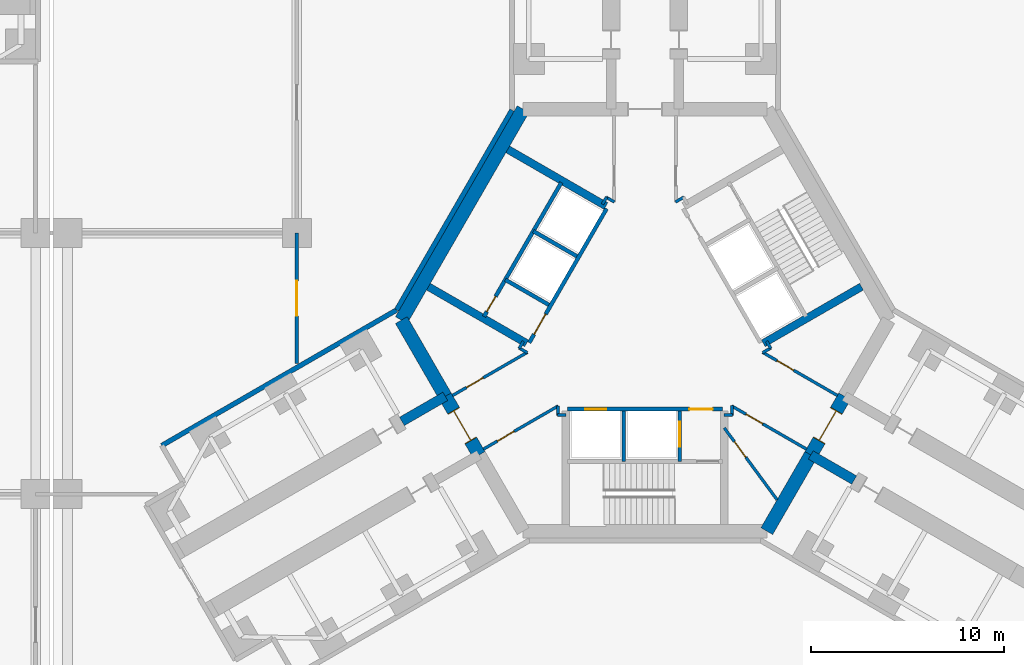
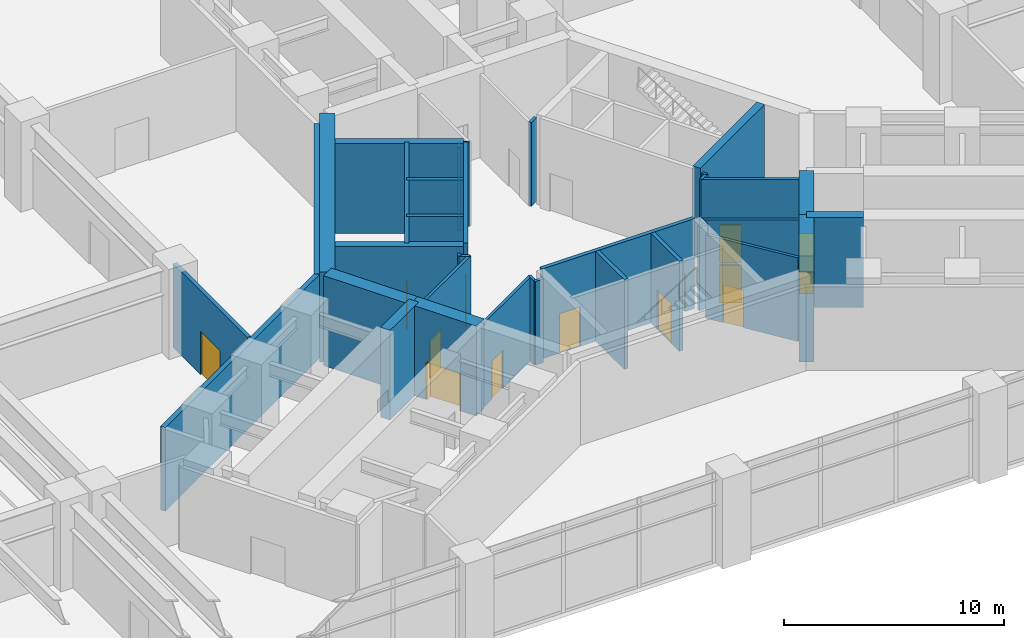
# One storey, part 25 of 32: 36 walls, 13 doors, 13 openings.
"""IFC4 building model written with IfcOpenShell, lengths in metres."""

from ifc_helpers import new_model, si_unit, direction, frame, frame_2d, origin, place, context, subcontext, project, spatial, rectangle, extrude, material, layer, layer_set, type_object, element, fill, save


model = new_model("IFC4")

# Units and contexts
model_context = context("Model", 3, precision=1e-05, world=origin(), true_north=direction((0.0, 1.0)))
body_context = subcontext(model_context, "Body", "Model", "MODEL_VIEW")
ifc_project = project(units=[si_unit("LENGTHUNIT", "METRE"), si_unit("AREAUNIT", "SQUARE_METRE"), si_unit("VOLUMEUNIT", "CUBIC_METRE"), si_unit("PLANEANGLEUNIT", "RADIAN"), si_unit("MASSUNIT", "GRAM", prefix="KILO")], contexts=[model_context])

# Site, building, storey
site_placement = place(None, origin())
site = spatial("IfcSite", under=ifc_project, at=site_placement, CompositionType="ELEMENT")
building_placement = place(site_placement, origin())
building = spatial("IfcBuilding", under=site, at=building_placement, Name="Upepo Twin Towers", CompositionType="ELEMENT")
storey_placement = place(building_placement, frame((0.0, 0.0, 5.5)))
storey = spatial("IfcBuildingStorey", under=building, at=storey_placement, Name="L01", CompositionType="ELEMENT", Elevation=5.5)

# Walls
ifc_material_1 = material(Name="Concrete C60/75", Category="concrete")
ifc_layer_1 = layer(ifc_material_1, 0.5)
ifc_layer_set_1 = layer_set([ifc_layer_1], Name="Concrete C60/75")
wall_type_1 = type_object("IfcWallType", Name="Buttress wall 500 RC", PredefinedType="SHEAR", material=ifc_layer_set_1)
for number, where, z_axis, x_axis, name in (
    (1, (48.17822265625, -21.938720703125, 0.0), (0.0, 0.0, 1.0), (-0.866072649678, -0.499918158782, 0.0), "T2 wing B buttress wall R"),
    (2, (67.07177734375, -24.9697265625, 0.0), (0.0, 0.0, 1.0), (0.866031863473, -0.499988811324, 0.0), "T2 wing C buttress wall R"),
):
    element("IfcWall", number, at=place(storey_placement, frame(where, z_axis=z_axis, x_axis=x_axis)), inside=storey, type_object=wall_type_1, Name=name, PredefinedType="SHEAR", context=body_context, shape_type="SweptSolid", body=[
        extrude(rectangle(XDim=2.591796875, YDim=0.5, at=frame_2d((1.2958984375, 0.0))), origin(), (0.0, 0.0, 1.0), 5.0),
    ])
ifc_material_2 = material(Name="Concrete C60/75", Category="concrete")
ifc_layer_2 = layer(ifc_material_2, 0.699951171875)
ifc_layer_set_2 = layer_set([ifc_layer_2], Name="Concrete C60/75")
wall_type_2 = type_object("IfcWallType", Name="Core wall 700 RC", PredefinedType="SHEAR", material=ifc_layer_set_2)
wall_1_placement = place(storey_placement, frame((52.2021484375, -7.091552734375, 0.0), z_axis=(0.0, 0.0, 1.0), x_axis=(-0.500005998175, -0.866021940709, 0.0)))
element("IfcWall", 3, at=wall_1_placement, inside=storey, type_object=wall_type_2, Name="T2 core wall 060", PredefinedType="SHEAR", context=body_context, shape_type="SweptSolid", body=[
    extrude(rectangle(XDim=12.595947265625, YDim=0.699951171875, at=frame_2d((6.2978515625, 0.0))), origin(), (0.0, 0.0, 1.0), 5.0),
])
wall_2_placement = place(storey_placement, frame((45.904052734375, -18.0, 0.0), z_axis=(0.0, 0.0, 1.0), x_axis=(0.500024481964, -0.866011268655, 0.0)))
element("IfcWall", 4, at=wall_2_placement, inside=storey, type_object=wall_type_2, Name="T2 core wall 120 R", PredefinedType="SHEAR", context=body_context, shape_type="SweptSolid", body=[
    extrude(rectangle(XDim=4.548095703125, YDim=0.699951171875, at=frame_2d((2.27392578125, 0.0))), origin(), (0.0, 0.0, 1.0), 5.0),
])

# Wall, opening, door
wall_3_placement = place(storey_placement, frame((48.17822265625, -21.938720703125, 0.0), z_axis=(0.0, 0.0, 1.0), x_axis=(0.500010275428, -0.866019471182, 0.0)))
wall_3 = element("IfcWall", 5, at=wall_3_placement, inside=storey, type_object=wall_type_2, Name="T2 core wall 120", PredefinedType="SHEAR", context=body_context, shape_type="SweptSolid", body=[
    extrude(rectangle(XDim=3.5, YDim=0.699951171875, at=frame_2d((1.75, 0.0))), origin(), (0.0, 0.0, 1.0), 5.0),
])
opening_1_placement = place(wall_3_placement, frame((0.85009765625, 0.0, 0.0)))
opening_1 = element("IfcOpeningElement", 6, at=opening_1_placement, cuts=wall_3, Name="Opening D2", PredefinedType="OPENING", context=body_context, shape_type="SweptSolid", body=[
    extrude(rectangle(XDim=1.800048828125, YDim=2.10009765625, at=frame_2d((0.89990234375, 1.050048828125))), frame((0.0, 0.35986328125, 0.0), z_axis=(0.0, -1.0, 0.0), x_axis=(1.0, 0.0, 0.0)), (0.0, 0.0, 1.0), 0.719970703125),
])
ifc_material_3 = material(Name="Timber doorset", Category="wood")
door_type_1 = type_object("IfcDoorType", Name="Corridor double door 1800 FD60", OperationType="DOUBLE_DOOR_DOUBLE_SWING", PredefinedType="DOOR", material=ifc_material_3)
door_1_placement = place(opening_1_placement, origin())
door_1 = element("IfcDoor", 7, at=door_1_placement, inside=storey, type_object=door_type_1, Name="T2 L01 wing B corridor door", OperationType="DOUBLE_DOOR_DOUBLE_SWING", OverallHeight=2.10009765625, OverallWidth=1.800048828125, PredefinedType="DOOR", context=body_context, shape_type="SweptSolid", body=[
    extrude(rectangle(XDim=1.720048828125, YDim=2.06009765625, at=frame_2d((0.89990234375, 1.030029296875))), frame((0.0, 0.02490234375, 0.0), z_axis=(0.0, -1.0, 0.0), x_axis=(1.0, 0.0, 0.0)), (0.0, 0.0, 1.0), 0.050048828125),
    extrude(rectangle(XDim=0.04, YDim=2.10009765625, at=frame_2d((0.02001953125, 1.050048828125))), frame((0.0, 0.349609375, 0.0), z_axis=(0.0, -1.0, 0.0), x_axis=(1.0, 0.0, 0.0)), (0.0, 0.0, 1.0), 0.699462890625),
    extrude(rectangle(XDim=0.04, YDim=2.10009765625, at=frame_2d((1.780029296875, 1.050048828125))), frame((0.0, 0.349609375, 0.0), z_axis=(0.0, -1.0, 0.0), x_axis=(1.0, 0.0, 0.0)), (0.0, 0.0, 1.0), 0.699462890625),
    extrude(rectangle(XDim=1.720048828125, YDim=0.04, at=frame_2d((0.89990234375, 2.080078125))), frame((0.0, 0.349609375, 0.0), z_axis=(0.0, -1.0, 0.0), x_axis=(1.0, 0.0, 0.0)), (0.0, 0.0, 1.0), 0.699462890625),
])
fill(opening_1, door_1)

# Wall
wall_4_placement = place(storey_placement, frame((64.7978515625, -28.908447265625, 0.0), z_axis=(0.0, 0.0, 1.0), x_axis=(0.499984222037, 0.866034513004, 0.0)))
element("IfcWall", 8, at=wall_4_placement, inside=storey, type_object=wall_type_2, Name="T2 core wall 240 R", PredefinedType="SHEAR", context=body_context, shape_type="SweptSolid", body=[
    extrude(rectangle(XDim=4.548095703125, YDim=0.699951171875, at=frame_2d((2.27392578125, 0.0))), origin(), (0.0, 0.0, 1.0), 5.0),
])

# Wall, opening, door
wall_5_placement = place(storey_placement, frame((67.07177734375, -24.9697265625, 0.0), z_axis=(0.0, 0.0, 1.0), x_axis=(0.500010275428, 0.866019471182, 0.0)))
wall_5 = element("IfcWall", 9, at=wall_5_placement, inside=storey, type_object=wall_type_2, Name="T2 core wall 240", PredefinedType="SHEAR", context=body_context, shape_type="SweptSolid", body=[
    extrude(rectangle(XDim=3.5, YDim=0.699951171875, at=frame_2d((1.75, 0.0))), origin(), (0.0, 0.0, 1.0), 5.0),
])
opening_2_placement = place(wall_5_placement, frame((0.85009765625, 0.0, 0.0)))
opening_2 = element("IfcOpeningElement", 10, at=opening_2_placement, cuts=wall_5, Name="Opening D2", PredefinedType="OPENING", context=body_context, shape_type="SweptSolid", body=[
    extrude(rectangle(XDim=1.800048828125, YDim=2.10009765625, at=frame_2d((0.89990234375, 1.050048828125))), frame((0.0, 0.35986328125, 0.0), z_axis=(0.0, -1.0, 0.0), x_axis=(1.0, 0.0, 0.0)), (0.0, 0.0, 1.0), 0.719970703125),
])
door_2_placement = place(opening_2_placement, origin())
door_2 = element("IfcDoor", 11, at=door_2_placement, inside=storey, type_object=door_type_1, Name="T2 L01 wing C corridor door", OperationType="DOUBLE_DOOR_DOUBLE_SWING", OverallHeight=2.10009765625, OverallWidth=1.800048828125, PredefinedType="DOOR", context=body_context, shape_type="SweptSolid", body=[
    extrude(rectangle(XDim=1.720048828125, YDim=2.06009765625, at=frame_2d((0.89990234375, 1.030029296875))), frame((0.0, 0.02490234375, 0.0), z_axis=(0.0, -1.0, 0.0), x_axis=(1.0, 0.0, 0.0)), (0.0, 0.0, 1.0), 0.050048828125),
    extrude(rectangle(XDim=0.04, YDim=2.10009765625, at=frame_2d((0.02001953125, 1.050048828125))), frame((0.0, 0.349609375, 0.0), z_axis=(0.0, -1.0, 0.0), x_axis=(1.0, 0.0, 0.0)), (0.0, 0.0, 1.0), 0.699462890625),
    extrude(rectangle(XDim=0.04, YDim=2.10009765625, at=frame_2d((1.780029296875, 1.050048828125))), frame((0.0, 0.349609375, 0.0), z_axis=(0.0, -1.0, 0.0), x_axis=(1.0, 0.0, 0.0)), (0.0, 0.0, 1.0), 0.699462890625),
    extrude(rectangle(XDim=1.720048828125, YDim=0.04, at=frame_2d((0.89990234375, 2.080078125))), frame((0.0, 0.349609375, 0.0), z_axis=(0.0, -1.0, 0.0), x_axis=(1.0, 0.0, 0.0)), (0.0, 0.0, 1.0), 0.699462890625),
])
fill(opening_2, door_2)

ifc_material_4 = material(Name="Concrete blockwork", Category="masonry")
ifc_layer_3 = layer(ifc_material_4, 0.199951171875)
ifc_layer_set_3 = layer_set([ifc_layer_3], Name="Podium partition 200 blockwork")
wall_type_3 = type_object("IfcWallType", Name="Podium partition 200 blockwork", PredefinedType="PARTITIONING", material=ifc_layer_set_3)
wall_6_placement = place(storey_placement, frame((40.5, -20.251708984375, 0.0), z_axis=(0.0, 0.0, 1.0), x_axis=(0.0, 1.0, 0.0)))
wall_6 = element("IfcWall", 12, at=wall_6_placement, inside=storey, type_object=wall_type_3, Name="L01 podium wall X51", PredefinedType="PARTITIONING", context=body_context, shape_type="SweptSolid", body=[
    extrude(rectangle(XDim=6.751708984375, YDim=0.199951171875, at=frame_2d((3.3759765625, 0.0))), origin(), (0.0, 0.0, 1.0), 4.64990234375),
])
opening_3_placement = place(wall_6_placement, frame((2.475830078125, 0.0, 0.0)))
opening_3 = element("IfcOpeningElement", 13, at=opening_3_placement, cuts=wall_6, Name="Opening D10", PredefinedType="OPENING", context=body_context, shape_type="SweptSolid", body=[
    extrude(rectangle(XDim=1.800048828125, YDim=2.39990234375, at=frame_2d((0.89990234375, 1.199951171875))), frame((0.0, 0.10986328125, 0.0), z_axis=(0.0, -1.0, 0.0), x_axis=(1.0, 0.0, 0.0)), (0.0, 0.0, 1.0), 0.219970703125),
])
ifc_material_5 = material(Name="Timber doorset", Category="wood")
door_type_2 = type_object("IfcDoorType", Name="Podium double door 1800", OperationType="DOUBLE_DOOR_DOUBLE_SWING", PredefinedType="DOOR", material=ifc_material_5)
door_3_placement = place(opening_3_placement, origin())
door_3 = element("IfcDoor", 14, at=door_3_placement, inside=storey, type_object=door_type_2, Name="L01 computer laboratory 3-library stacks 1.01 door", OperationType="DOUBLE_DOOR_DOUBLE_SWING", OverallHeight=2.39990234375, OverallWidth=1.800048828125, PredefinedType="DOOR", context=body_context, shape_type="SweptSolid", body=[
    extrude(rectangle(XDim=1.800048828125, YDim=2.39990234375, at=frame_2d((0.89990234375, 1.199951171875))), frame((0.0, 0.02490234375, 0.0), z_axis=(0.0, -1.0, 0.0), x_axis=(1.0, 0.0, 0.0)), (0.0, 0.0, 1.0), 0.050048828125),
])
fill(opening_3, door_3)

ifc_material_6 = material(Name="Concrete C40/50", Category="concrete")
ifc_layer_4 = layer(ifc_material_6, 0.199951171875)
ifc_layer_set_4 = layer_set([ifc_layer_4], Name="Concrete C40/50")
wall_type_4 = type_object("IfcWallType", Name="Shaft wall 200 RC", PredefinedType="SHEAR", material=ifc_layer_set_4)
wall_7_placement = place(storey_placement, frame((56.516357421875, -12.23583984375, 0.0), z_axis=(0.0, 0.0, 1.0), x_axis=(-0.49999894854, -0.866026010844, 0.0)))
wall_7 = element("IfcWall", 15, at=wall_7_placement, inside=storey, type_object=wall_type_4, Name="T2 core W60 front wall", PredefinedType="SHEAR", context=body_context, shape_type="SweptSolid", body=[
    extrude(rectangle(XDim=8.0, YDim=0.199951171875, at=frame_2d((4.0, 0.0))), origin(), (0.0, 0.0, 1.0), 5.0),
])
opening_4_placement = place(wall_7_placement, frame((6.300048828125, 0.0, 0.0)))
opening_4 = element("IfcOpeningElement", 16, at=opening_4_placement, cuts=wall_7, Name="Opening D4", PredefinedType="OPENING", context=body_context, shape_type="SweptSolid", body=[
    extrude(rectangle(XDim=1.199951171875, YDim=2.10009765625, at=frame_2d((0.60009765625, 1.050048828125))), frame((0.0, 0.10986328125, 0.0), z_axis=(0.0, -1.0, 0.0), x_axis=(1.0, 0.0, 0.0)), (0.0, 0.0, 1.0), 0.219970703125),
])
ifc_material_7 = material(Name="Timber doorset", Category="wood")
door_type_3 = type_object("IfcDoorType", Name="Lobby door 1200 FD60", OperationType="SINGLE_SWING_LEFT", PredefinedType="DOOR", material=ifc_material_7)
door_4_placement = place(opening_4_placement, origin())
door_4 = element("IfcDoor", 17, at=door_4_placement, inside=storey, type_object=door_type_3, Name="T2 L01 W60 lobby door", OperationType="SINGLE_SWING_RIGHT", OverallHeight=2.10009765625, OverallWidth=1.199951171875, PredefinedType="DOOR", context=body_context, shape_type="SweptSolid", body=[
    extrude(rectangle(XDim=1.199951171875, YDim=2.10009765625, at=frame_2d((0.60009765625, 1.050048828125))), frame((0.0, 0.02490234375, 0.0), z_axis=(0.0, -1.0, 0.0), x_axis=(1.0, 0.0, 0.0)), (0.0, 0.0, 1.0), 0.050048828125),
])
fill(opening_4, door_4)

# Walls
for number, where, z_axis, x_axis, name in (
    (18, (54.979736328125, -14.697265625, 0.0), (0.0, 0.0, 1.0), (-0.866062058628, 0.499936506574, 0.0), "T2 core W60 shaft divider"),
    (19, (53.52978515625, -17.208740234375, 0.0), (0.0, 0.0, 1.0), (-0.866062058628, 0.499936506574, 0.0), "T2 core W60 lobby wall"),
):
    element("IfcWall", number, at=place(storey_placement, frame(where, z_axis=z_axis, x_axis=x_axis)), inside=storey, type_object=wall_type_4, Name=name, PredefinedType="SHEAR", context=body_context, shape_type="SweptSolid", body=[
        extrude(rectangle(XDim=2.599853515625, YDim=0.199951171875, at=frame_2d((1.2998046875, 0.0))), origin(), (0.0, 0.0, 1.0), 5.0),
    ])

# Wall, opening, door
wall_8_placement = place(storey_placement, frame((54.177978515625, -10.885986328125, 0.0), z_axis=(0.0, 0.0, 1.0), x_axis=(-0.49999894854, -0.866026010844, 0.0)))
wall_8 = element("IfcWall", 20, at=wall_8_placement, inside=storey, type_object=wall_type_4, Name="T2 core W60 stair wall", PredefinedType="SHEAR", context=body_context, shape_type="SweptSolid", body=[
    extrude(rectangle(XDim=8.0, YDim=0.199951171875, at=frame_2d((4.0, 0.0))), origin(), (0.0, 0.0, 1.0), 5.0),
])
opening_5_placement = place(wall_8_placement, frame((6.800048828125, 0.0, 0.0)))
opening_5 = element("IfcOpeningElement", 21, at=opening_5_placement, cuts=wall_8, Name="Opening D9", PredefinedType="OPENING", context=body_context, shape_type="SweptSolid", body=[
    extrude(rectangle(XDim=0.89990234375, YDim=2.10009765625, at=frame_2d((0.449951171875, 1.050048828125))), frame((0.0, 0.10986328125, 0.0), z_axis=(0.0, -1.0, 0.0), x_axis=(1.0, 0.0, 0.0)), (0.0, 0.0, 1.0), 0.219970703125),
])
ifc_material_8 = material(Name="Timber doorset", Category="wood")
door_type_4 = type_object("IfcDoorType", Name="Riser door 900 FD60", OperationType="SINGLE_SWING_LEFT", PredefinedType="DOOR", material=ifc_material_8)
door_5_placement = place(opening_5_placement, origin())
door_5 = element("IfcDoor", 22, at=door_5_placement, inside=storey, type_object=door_type_4, Name="T2 L01 riser door", OperationType="SINGLE_SWING_RIGHT", OverallHeight=2.10009765625, OverallWidth=0.89990234375, PredefinedType="DOOR", context=body_context, shape_type="SweptSolid", body=[
    extrude(rectangle(XDim=0.89990234375, YDim=2.10009765625, at=frame_2d((0.449951171875, 1.050048828125))), frame((0.0, 0.02490234375, 0.0), z_axis=(0.0, -1.0, 0.0), x_axis=(1.0, 0.0, 0.0)), (0.0, 0.0, 1.0), 0.050048828125),
])
fill(opening_5, door_5)

# Wall, openings, doors
wall_9_placement = place(storey_placement, frame((54.5, -22.60009765625, 0.0), z_axis=(0.0, 0.0, 1.0), x_axis=(1.0, 0.0, 0.0)))
wall_9 = element("IfcWall", 23, at=wall_9_placement, inside=storey, type_object=wall_type_4, Name="T2 core W180 front wall", PredefinedType="SHEAR", context=body_context, shape_type="SweptSolid", body=[
    extrude(rectangle(XDim=8.0, YDim=0.199951171875, at=frame_2d((4.0, 0.0))), origin(), (0.0, 0.0, 1.0), 5.0),
])
opening_6_placement = place(wall_9_placement, frame((6.300048828125, 0.0, 0.0)))
opening_6 = element("IfcOpeningElement", 24, at=opening_6_placement, cuts=wall_9, Name="Opening D4", PredefinedType="OPENING", context=body_context, shape_type="SweptSolid", body=[
    extrude(rectangle(XDim=1.199951171875, YDim=2.10009765625, at=frame_2d((0.60009765625, 1.050048828125))), frame((0.0, 0.10986328125, 0.0), z_axis=(0.0, -1.0, 0.0), x_axis=(1.0, 0.0, 0.0)), (0.0, 0.0, 1.0), 0.219970703125),
])
opening_7_placement = place(wall_9_placement, frame((0.89990234375, 0.0, 0.0)))
opening_7 = element("IfcOpeningElement", 25, at=opening_7_placement, cuts=wall_9, Name="Opening LD1", PredefinedType="OPENING", context=body_context, shape_type="SweptSolid", body=[
    extrude(rectangle(XDim=1.10009765625, YDim=2.199951171875, at=frame_2d((0.550048828125, 1.10009765625))), frame((0.0, 0.10986328125, 0.0), z_axis=(0.0, -1.0, 0.0), x_axis=(1.0, 0.0, 0.0)), (0.0, 0.0, 1.0), 0.219970703125),
])
ifc_material_9 = material(Name="Steel doorset", Category="steel")
door_type_5 = type_object("IfcDoorType", Name="Lift landing door 1100", OperationType="DOUBLE_DOOR_SLIDING", PredefinedType="DOOR", material=ifc_material_9)
door_6_placement = place(opening_7_placement, origin())
door_6 = element("IfcDoor", 26, at=door_6_placement, inside=storey, type_object=door_type_5, Name="T2 L01 lift SV1 landing door", OperationType="DOUBLE_DOOR_SLIDING", OverallHeight=2.199951171875, OverallWidth=1.10009765625, PredefinedType="DOOR", context=body_context, shape_type="SweptSolid", body=[
    extrude(rectangle(XDim=1.10009765625, YDim=2.199951171875, at=frame_2d((0.550048828125, 1.10009765625))), frame((0.0, 0.02490234375, 0.0), z_axis=(0.0, -1.0, 0.0), x_axis=(1.0, 0.0, 0.0)), (0.0, 0.0, 1.0), 0.050048828125),
])
fill(opening_7, door_6)
door_7_placement = place(opening_6_placement, origin())
door_7 = element("IfcDoor", 27, at=door_7_placement, inside=storey, type_object=door_type_3, Name="T2 L01 W180 lobby door", OperationType="SINGLE_SWING_RIGHT", OverallHeight=2.10009765625, OverallWidth=1.199951171875, PredefinedType="DOOR", context=body_context, shape_type="SweptSolid", body=[
    extrude(rectangle(XDim=1.199951171875, YDim=2.10009765625, at=frame_2d((0.60009765625, 1.050048828125))), frame((0.0, 0.02490234375, 0.0), z_axis=(0.0, -1.0, 0.0), x_axis=(1.0, 0.0, 0.0)), (0.0, 0.0, 1.0), 0.050048828125),
])
fill(opening_6, door_7)

# Wall
wall_10_placement = place(storey_placement, frame((57.39990234375, -22.699951171875, 0.0), z_axis=(0.0, 0.0, 1.0), x_axis=(0.0, -1.0, 0.0)))
element("IfcWall", 28, at=wall_10_placement, inside=storey, type_object=wall_type_4, Name="T2 core W180 shaft divider", PredefinedType="SHEAR", context=body_context, shape_type="SweptSolid", body=[
    extrude(rectangle(XDim=2.60009765625, YDim=0.199951171875, at=frame_2d((1.300048828125, 0.0))), origin(), (0.0, 0.0, 1.0), 5.0),
])

# Wall, opening, door
wall_11_placement = place(storey_placement, frame((60.300048828125, -22.699951171875, 0.0), z_axis=(0.0, 0.0, 1.0), x_axis=(0.0, -1.0, 0.0)))
wall_11 = element("IfcWall", 29, at=wall_11_placement, inside=storey, type_object=wall_type_4, Name="T2 core W180 lobby wall", PredefinedType="SHEAR", context=body_context, shape_type="SweptSolid", body=[
    extrude(rectangle(XDim=2.60009765625, YDim=0.199951171875, at=frame_2d((1.300048828125, 0.0))), origin(), (0.0, 0.0, 1.0), 5.0),
])
opening_8_placement = place(wall_11_placement, frame((0.550048828125, 0.0, 0.0)))
opening_8 = element("IfcOpeningElement", 30, at=opening_8_placement, cuts=wall_11, Name="Opening LD2", PredefinedType="OPENING", context=body_context, shape_type="SweptSolid", body=[
    extrude(rectangle(XDim=1.300048828125, YDim=2.199951171875, at=frame_2d((0.64990234375, 1.10009765625))), frame((0.0, 0.10986328125, 0.0), z_axis=(0.0, -1.0, 0.0), x_axis=(1.0, 0.0, 0.0)), (0.0, 0.0, 1.0), 0.219970703125),
])
ifc_material_10 = material(Name="Steel doorset", Category="steel")
door_type_6 = type_object("IfcDoorType", Name="Firefighting lift landing door 1300", OperationType="DOUBLE_DOOR_SLIDING", PredefinedType="DOOR", material=ifc_material_10)
door_8_placement = place(opening_8_placement, origin())
door_8 = element("IfcDoor", 31, at=door_8_placement, inside=storey, type_object=door_type_6, Name="T2 L01 firefighting lift landing door", OperationType="DOUBLE_DOOR_SLIDING", OverallHeight=2.199951171875, OverallWidth=1.300048828125, PredefinedType="DOOR", context=body_context, shape_type="SweptSolid", body=[
    extrude(rectangle(XDim=1.300048828125, YDim=2.199951171875, at=frame_2d((0.64990234375, 1.10009765625))), frame((0.0, 0.02490234375, 0.0), z_axis=(0.0, -1.0, 0.0), x_axis=(1.0, 0.0, 0.0)), (0.0, 0.0, 1.0), 0.050048828125),
])
fill(opening_8, door_8)

# Walls
ifc_material_11 = material(Name="Concrete C40/50", Category="concrete")
ifc_layer_5 = layer(ifc_material_11, 0.39990234375)
ifc_layer_set_5 = layer_set([ifc_layer_5], Name="Concrete C40/50")
wall_type_5 = type_object("IfcWallType", Name="Shaft wall 400 RC", PredefinedType="SHEAR", material=ifc_layer_set_5)
for number, where, z_axis, x_axis, name in (
    (32, (52.379638671875, -19.20068359375, 0.0), (0.0, 0.0, 1.0), (-0.866023886965, 0.500002627198, 0.0), "T2 core W60 side wall N"),
    (33, (56.479736328125, -12.099365234375, 0.0), (0.0, 0.0, 1.0), (-0.866023886965, 0.500002627198, 0.0), "T2 core W60 side wall S"),
    (34, (64.620361328125, -19.20068359375, 0.0), (0.0, 0.0, 1.0), (0.866023886965, 0.500002627198, 0.0), "T2 core W300 side wall S"),
):
    element("IfcWall", number, at=place(storey_placement, frame(where, z_axis=z_axis, x_axis=x_axis)), inside=storey, type_object=wall_type_5, Name=name, PredefinedType="SHEAR", context=body_context, shape_type="SweptSolid", body=[
        extrude(rectangle(XDim=5.8583984375, YDim=0.39990234375, at=frame_2d((2.92919921875, 0.0))), origin(), (0.0, 0.0, 1.0), 5.0),
    ])
ifc_material_12 = material(Name="Gypsum board on steel studs", Category="steel")
ifc_layer_6 = layer(ifc_material_12, 0.14990234375)
ifc_layer_set_6 = layer_set([ifc_layer_6], Name="Teaching partition 150 acoustic")
wall_type_6 = type_object("IfcWallType", Name="Teaching partition 150 acoustic", PredefinedType="PARTITIONING", material=ifc_layer_set_6)
wall_12_placement = place(storey_placement, frame((54.0, -22.919921875, 0.0), z_axis=(0.0, 0.0, 1.0), x_axis=(0.0, 1.0, 0.0)))
element("IfcWall", 35, at=wall_12_placement, inside=storey, type_object=wall_type_6, Name="T2 core room partition 1", PredefinedType="PARTITIONING", context=body_context, shape_type="SweptSolid", body=[
    extrude(rectangle(XDim=0.494384765625, YDim=0.14990234375, at=frame_2d((0.2470703125, 0.0))), origin(), (0.0, 0.0, 1.0), 4.64990234375),
])

# Wall, opening, door
wall_13_placement = place(storey_placement, frame((54.017333984375, -22.435546875, 0.0), z_axis=(0.0, 0.0, 1.0), x_axis=(-0.866015446554, -0.500017246033, 0.0)))
wall_13 = element("IfcWall", 36, at=wall_13_placement, inside=storey, type_object=wall_type_6, Name="T2 core room partition 2", PredefinedType="PARTITIONING", context=body_context, shape_type="SweptSolid", body=[
    extrude(rectangle(XDim=4.468505859375, YDim=0.14990234375, at=frame_2d((2.234375, 0.0))), origin(), (0.0, 0.0, 1.0), 4.64990234375),
])
opening_9_placement = place(wall_13_placement, frame((2.634033203125, 0.0, 0.0)))
opening_9 = element("IfcOpeningElement", 37, at=opening_9_placement, cuts=wall_13, Name="Opening D1", PredefinedType="OPENING", context=body_context, shape_type="SweptSolid", body=[
    extrude(rectangle(XDim=1.0, YDim=2.10009765625, at=frame_2d((0.5, 1.050048828125))), frame((0.0, 0.0849609375, 0.0), z_axis=(0.0, -1.0, 0.0), x_axis=(1.0, 0.0, 0.0)), (0.0, 0.0, 1.0), 0.169921875),
])
ifc_material_13 = material(Name="Timber doorset", Category="wood")
door_type_7 = type_object("IfcDoorType", Name="Room door 1000 FD30", OperationType="SINGLE_SWING_LEFT", PredefinedType="DOOR", material=ifc_material_13)
door_9_placement = place(opening_9_placement, origin())
door_9 = element("IfcDoor", 38, at=door_9_placement, inside=storey, type_object=door_type_7, Name="T2 L01 core room door K2", OperationType="SINGLE_SWING_RIGHT", OverallHeight=2.10009765625, OverallWidth=1.0, PredefinedType="DOOR", context=body_context, shape_type="SweptSolid", body=[
    extrude(rectangle(XDim=1.0, YDim=2.10009765625, at=frame_2d((0.5, 1.050048828125))), frame((0.0, 0.02490234375, 0.0), z_axis=(0.0, -1.0, 0.0), x_axis=(1.0, 0.0, 0.0)), (0.0, 0.0, 1.0), 0.050048828125),
])
fill(opening_9, door_9)

wall_14_placement = place(storey_placement, frame((48.547607421875, -21.8984375, 0.0), z_axis=(0.0, 0.0, 1.0), x_axis=(0.866025445582, 0.499999927604, 0.0)))
wall_14 = element("IfcWall", 39, at=wall_14_placement, inside=storey, type_object=wall_type_6, Name="T2 core room partition 3", PredefinedType="PARTITIONING", context=body_context, shape_type="SweptSolid", body=[
    extrude(rectangle(XDim=4.46826171875, YDim=0.14990234375, at=frame_2d((2.234130859375, 0.0))), origin(), (0.0, 0.0, 1.0), 4.64990234375),
])
opening_10_placement = place(wall_14_placement, frame((0.83447265625, 0.0, 0.0)))
opening_10 = element("IfcOpeningElement", 40, at=opening_10_placement, cuts=wall_14, Name="Opening D1", PredefinedType="OPENING", context=body_context, shape_type="SweptSolid", body=[
    extrude(rectangle(XDim=1.0, YDim=2.10009765625, at=frame_2d((0.5, 1.050048828125))), frame((0.0, 0.0849609375, 0.0), z_axis=(0.0, -1.0, 0.0), x_axis=(1.0, 0.0, 0.0)), (0.0, 0.0, 1.0), 0.169921875),
])
door_10_placement = place(opening_10_placement, origin())
door_10 = element("IfcDoor", 41, at=door_10_placement, inside=storey, type_object=door_type_7, Name="T2 L01 core room door K1", OperationType="SINGLE_SWING_LEFT", OverallHeight=2.10009765625, OverallWidth=1.0, PredefinedType="DOOR", context=body_context, shape_type="SweptSolid", body=[
    extrude(rectangle(XDim=1.0, YDim=2.10009765625, at=frame_2d((0.5, 1.050048828125))), frame((0.0, 0.02490234375, 0.0), z_axis=(0.0, -1.0, 0.0), x_axis=(1.0, 0.0, 0.0)), (0.0, 0.0, 1.0), 0.050048828125),
])
fill(opening_10, door_10)

# Walls
wall_15_placement = place(storey_placement, frame((52.417236328125, -19.684326171875, 0.0), z_axis=(0.0, 0.0, 1.0), x_axis=(-0.865831790172, 0.50033519877, 0.0)))
element("IfcWall", 42, at=wall_15_placement, inside=storey, type_object=wall_type_6, Name="T2 core room partition 4", PredefinedType="PARTITIONING", context=body_context, shape_type="SweptSolid", body=[
    extrude(rectangle(XDim=0.494384765625, YDim=0.14990234375, at=frame_2d((0.2470703125, 0.0))), origin(), (0.0, 0.0, 1.0), 4.64990234375),
])
for number, where, z_axis, x_axis, name in (
    (43, (51.99658203125, -19.46435546875, 0.0), (0.0, 0.0, 1.0), (0.499804398801, 0.866138304741, 0.0), "T2 core room partition 5"),
    (44, (56.301513671875, -12.0078125, 0.0), (0.0, 0.0, 1.0), (0.500230298122, 0.865892400268, 0.0), "T2 core room partition 6"),
):
    element("IfcWall", number, at=place(storey_placement, frame(where, z_axis=z_axis, x_axis=x_axis)), inside=storey, type_object=wall_type_6, Name=name, PredefinedType="PARTITIONING", context=body_context, shape_type="SweptSolid", body=[
        extrude(rectangle(XDim=0.429931640625, YDim=0.14990234375, at=frame_2d((0.21484375, 0.0))), origin(), (0.0, 0.0, 1.0), 4.64990234375),
    ])
for number, where, z_axis, x_axis, name in (
    (45, (56.4892578125, -11.642822265625, 0.0), (0.0, 0.0, 1.0), (0.865831790172, -0.50033519877, 0.0), "T2 core room partition 7"),
    (46, (60.082763671875, -11.89013671875, 0.0), (0.0, 0.0, 1.0), (0.865831790172, 0.50033519877, 0.0), "T2 core room partition 10"),
):
    element("IfcWall", number, at=place(storey_placement, frame(where, z_axis=z_axis, x_axis=x_axis)), inside=storey, type_object=wall_type_6, Name=name, PredefinedType="PARTITIONING", context=body_context, shape_type="SweptSolid", body=[
        extrude(rectangle(XDim=0.494384765625, YDim=0.14990234375, at=frame_2d((0.2470703125, 0.0))), origin(), (0.0, 0.0, 1.0), 4.64990234375),
    ])
wall_16_placement = place(storey_placement, frame((64.78857421875, -19.092041015625, 0.0), z_axis=(0.0, 0.0, 1.0), x_axis=(0.499804398801, -0.866138304741, 0.0)))
element("IfcWall", 47, at=wall_16_placement, inside=storey, type_object=wall_type_6, Name="T2 core room partition 12", PredefinedType="PARTITIONING", context=body_context, shape_type="SweptSolid", body=[
    extrude(rectangle(XDim=0.429931640625, YDim=0.14990234375, at=frame_2d((0.21484375, 0.0))), origin(), (0.0, 0.0, 1.0), 4.64990234375),
])
wall_17_placement = place(storey_placement, frame((65.0107421875, -19.43701171875, 0.0), z_axis=(0.0, 0.0, 1.0), x_axis=(-0.865831790172, -0.50033519877, 0.0)))
element("IfcWall", 48, at=wall_17_placement, inside=storey, type_object=wall_type_6, Name="T2 core room partition 13", PredefinedType="PARTITIONING", context=body_context, shape_type="SweptSolid", body=[
    extrude(rectangle(XDim=0.494384765625, YDim=0.14990234375, at=frame_2d((0.2470703125, 0.0))), origin(), (0.0, 0.0, 1.0), 4.64990234375),
])

# Wall, opening, door
wall_18_placement = place(storey_placement, frame((64.582763671875, -19.664306640625, 0.0), z_axis=(0.0, 0.0, 1.0), x_axis=(0.866025445582, -0.499999927604, 0.0)))
wall_18 = element("IfcWall", 49, at=wall_18_placement, inside=storey, type_object=wall_type_6, Name="T2 core room partition 14", PredefinedType="PARTITIONING", context=body_context, shape_type="SweptSolid", body=[
    extrude(rectangle(XDim=4.46826171875, YDim=0.14990234375, at=frame_2d((2.234130859375, 0.0))), origin(), (0.0, 0.0, 1.0), 4.64990234375),
])
opening_11_placement = place(wall_18_placement, frame((0.854736328125, 0.0, 0.0)))
opening_11 = element("IfcOpeningElement", 50, at=opening_11_placement, cuts=wall_18, Name="Opening D1", PredefinedType="OPENING", context=body_context, shape_type="SweptSolid", body=[
    extrude(rectangle(XDim=1.0, YDim=2.10009765625, at=frame_2d((0.5, 1.050048828125))), frame((0.0, 0.0849609375, 0.0), z_axis=(0.0, -1.0, 0.0), x_axis=(1.0, 0.0, 0.0)), (0.0, 0.0, 1.0), 0.169921875),
])
door_11_placement = place(opening_11_placement, origin())
door_11 = element("IfcDoor", 51, at=door_11_placement, inside=storey, type_object=door_type_7, Name="T2 L01 core room door K5", OperationType="SINGLE_SWING_LEFT", OverallHeight=2.10009765625, OverallWidth=1.0, PredefinedType="DOOR", context=body_context, shape_type="SweptSolid", body=[
    extrude(rectangle(XDim=1.0, YDim=2.10009765625, at=frame_2d((0.5, 1.050048828125))), frame((0.0, 0.02490234375, 0.0), z_axis=(0.0, -1.0, 0.0), x_axis=(1.0, 0.0, 0.0)), (0.0, 0.0, 1.0), 0.050048828125),
])
fill(opening_11, door_11)

wall_19_placement = place(storey_placement, frame((66.8525390625, -24.669921875, 0.0), z_axis=(0.0, 0.0, 1.0), x_axis=(-0.866015446554, 0.500017246033, 0.0)))
wall_19 = element("IfcWall", 52, at=wall_19_placement, inside=storey, type_object=wall_type_6, Name="T2 core room partition 15", PredefinedType="PARTITIONING", context=body_context, shape_type="SweptSolid", body=[
    extrude(rectangle(XDim=4.468505859375, YDim=0.14990234375, at=frame_2d((2.234375, 0.0))), origin(), (0.0, 0.0, 1.0), 4.64990234375),
])
opening_12_placement = place(wall_19_placement, frame((2.61376953125, 0.0, 0.0)))
opening_12 = element("IfcOpeningElement", 53, at=opening_12_placement, cuts=wall_19, Name="Opening D1", PredefinedType="OPENING", context=body_context, shape_type="SweptSolid", body=[
    extrude(rectangle(XDim=1.0, YDim=2.10009765625, at=frame_2d((0.5, 1.050048828125))), frame((0.0, 0.0849609375, 0.0), z_axis=(0.0, -1.0, 0.0), x_axis=(1.0, 0.0, 0.0)), (0.0, 0.0, 1.0), 0.169921875),
])
door_12_placement = place(opening_12_placement, origin())
door_12 = element("IfcDoor", 54, at=door_12_placement, inside=storey, type_object=door_type_7, Name="T2 L01 core room door K4", OperationType="SINGLE_SWING_RIGHT", OverallHeight=2.10009765625, OverallWidth=1.0, PredefinedType="DOOR", context=body_context, shape_type="SweptSolid", body=[
    extrude(rectangle(XDim=1.0, YDim=2.10009765625, at=frame_2d((0.5, 1.050048828125))), frame((0.0, 0.02490234375, 0.0), z_axis=(0.0, -1.0, 0.0), x_axis=(1.0, 0.0, 0.0)), (0.0, 0.0, 1.0), 0.050048828125),
])
fill(opening_12, door_12)

# Walls
wall_20_placement = place(storey_placement, frame((63.0, -22.425537109375, 0.0), z_axis=(0.0, 0.0, 1.0), x_axis=(0.0, -1.0, 0.0)))
element("IfcWall", 55, at=wall_20_placement, inside=storey, type_object=wall_type_6, Name="T2 core room partition 16", PredefinedType="PARTITIONING", context=body_context, shape_type="SweptSolid", body=[
    extrude(rectangle(XDim=0.494384765625, YDim=0.14990234375, at=frame_2d((0.2470703125, 0.0))), origin(), (0.0, 0.0, 1.0), 4.64990234375),
])
for number, where, z_axis, x_axis, name in (
    (56, (63.02001953125, -22.89990234375, 0.0), (0.0, 0.0, 1.0), (-1.0, 0.0, 0.0), "T2 core room partition 17"),
    (57, (54.409912109375, -22.89990234375, 0.0), (0.0, 0.0, 1.0), (-1.0, 0.0, 0.0), "T2 core room partition 18"),
):
    element("IfcWall", number, at=place(storey_placement, frame(where, z_axis=z_axis, x_axis=x_axis)), inside=storey, type_object=wall_type_6, Name=name, PredefinedType="PARTITIONING", context=body_context, shape_type="SweptSolid", body=[
        extrude(rectangle(XDim=0.429931640625, YDim=0.14990234375, at=frame_2d((0.21484375, 0.0))), origin(), (0.0, 0.0, 1.0), 4.64990234375),
    ])

# Wall, opening, door
wall_21_placement = place(storey_placement, frame((62.60009765625, -23.57373046875, 0.0), z_axis=(0.0, 0.0, 1.0), x_axis=(0.592522935884, -0.805553580125, 0.0)))
wall_21 = element("IfcWall", 58, at=wall_21_placement, inside=storey, type_object=wall_type_6, Name="T2 core room partition 19", PredefinedType="PARTITIONING", context=body_context, shape_type="SweptSolid", body=[
    extrude(rectangle(XDim=4.608154296875, YDim=0.14990234375, at=frame_2d((2.30419921875, 0.0))), origin(), (0.0, 0.0, 1.0), 4.64990234375),
])
opening_13_placement = place(wall_21_placement, frame((0.882568359375, 0.0, 0.0)))
opening_13 = element("IfcOpeningElement", 59, at=opening_13_placement, cuts=wall_21, Name="Opening D1", PredefinedType="OPENING", context=body_context, shape_type="SweptSolid", body=[
    extrude(rectangle(XDim=1.0, YDim=2.10009765625, at=frame_2d((0.5, 1.050048828125))), frame((0.0, 0.0849609375, 0.0), z_axis=(0.0, -1.0, 0.0), x_axis=(1.0, 0.0, 0.0)), (0.0, 0.0, 1.0), 0.169921875),
])
door_13_placement = place(opening_13_placement, origin())
door_13 = element("IfcDoor", 60, at=door_13_placement, inside=storey, type_object=door_type_7, Name="T2 L01 core room door K3", OperationType="SINGLE_SWING_LEFT", OverallHeight=2.10009765625, OverallWidth=1.0, PredefinedType="DOOR", context=body_context, shape_type="SweptSolid", body=[
    extrude(rectangle(XDim=1.0, YDim=2.10009765625, at=frame_2d((0.5, 1.050048828125))), frame((0.0, 0.02490234375, 0.0), z_axis=(0.0, -1.0, 0.0), x_axis=(1.0, 0.0, 0.0)), (0.0, 0.0, 1.0), 0.050048828125),
])
fill(opening_13, door_13)

# Walls
ifc_material_14 = material(Name="Concrete blockwork", Category="masonry")
ifc_layer_7 = layer(ifc_material_14, 0.25)
ifc_layer_set_7 = layer_set([ifc_layer_7], Name="Tower enclosure wall 250 blockwork")
wall_type_7 = type_object("IfcWallType", Name="Tower enclosure wall 250 blockwork", PredefinedType="STANDARD", material=ifc_layer_set_7)
wall_22_placement = place(storey_placement, frame((33.52001953125, -24.483642578125, 0.0), z_axis=(0.0, 0.0, 1.0), x_axis=(0.866027500821, 0.499996367808, 0.0)))
element("IfcWall", 61, at=wall_22_placement, inside=storey, type_object=wall_type_7, Name="T2 L01 enclosure wall 13", PredefinedType="STANDARD", context=body_context, shape_type="SweptSolid", body=[
    extrude(rectangle(XDim=14.01611328125, YDim=0.25, at=frame_2d((7.008056640625, 0.0))), origin(), (0.0, 0.0, 1.0), 4.64990234375),
])
wall_23_placement = place(storey_placement, frame((45.658447265625, -17.4755859375, 0.0), z_axis=(0.0, 0.0, 1.0), x_axis=(0.499996365031, 0.866027502425, 0.0)))
element("IfcWall", 62, at=wall_23_placement, inside=storey, type_object=wall_type_7, Name="T2 L01 enclosure wall 14", PredefinedType="STANDARD", context=body_context, shape_type="SweptSolid", body=[
    extrude(rectangle(XDim=11.93310546875, YDim=0.25, at=frame_2d((5.966552734375, 0.0))), origin(), (0.0, 0.0, 1.0), 4.64990234375),
])

save(model, "model.ifc")
